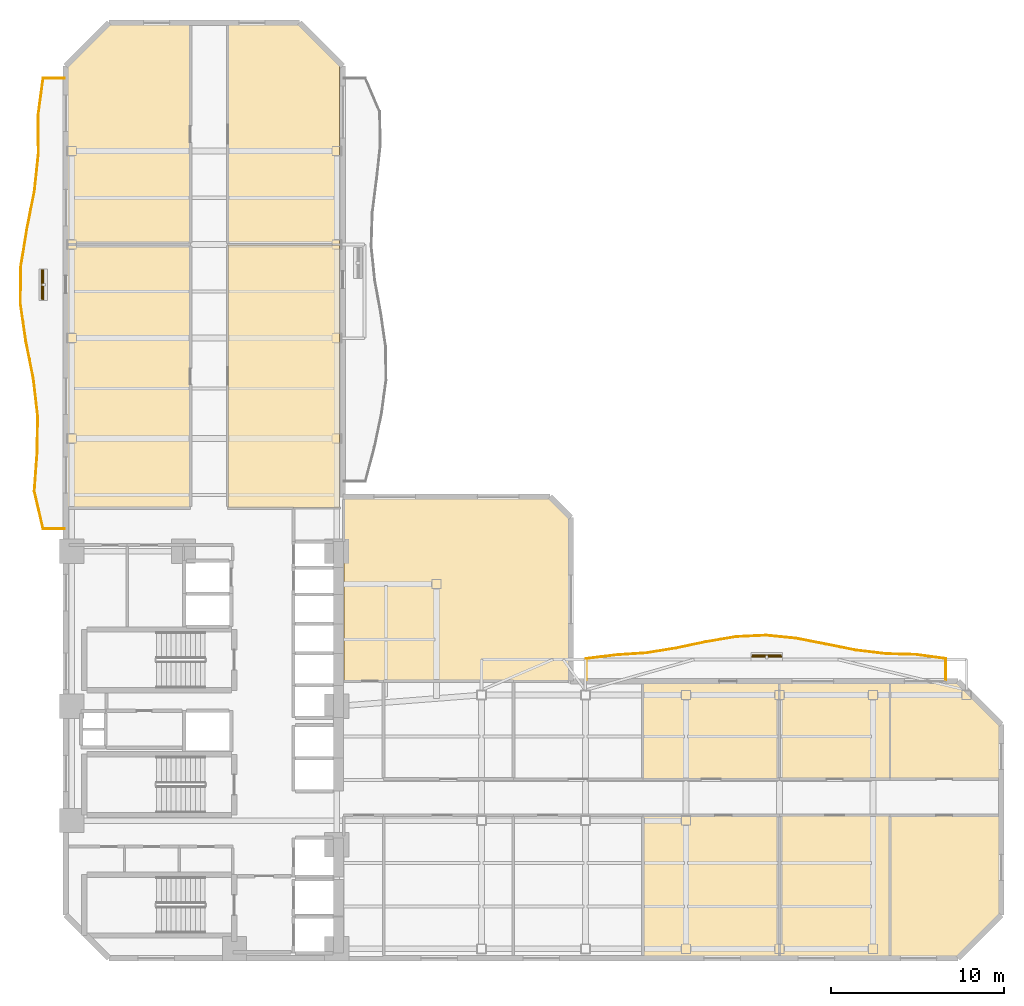
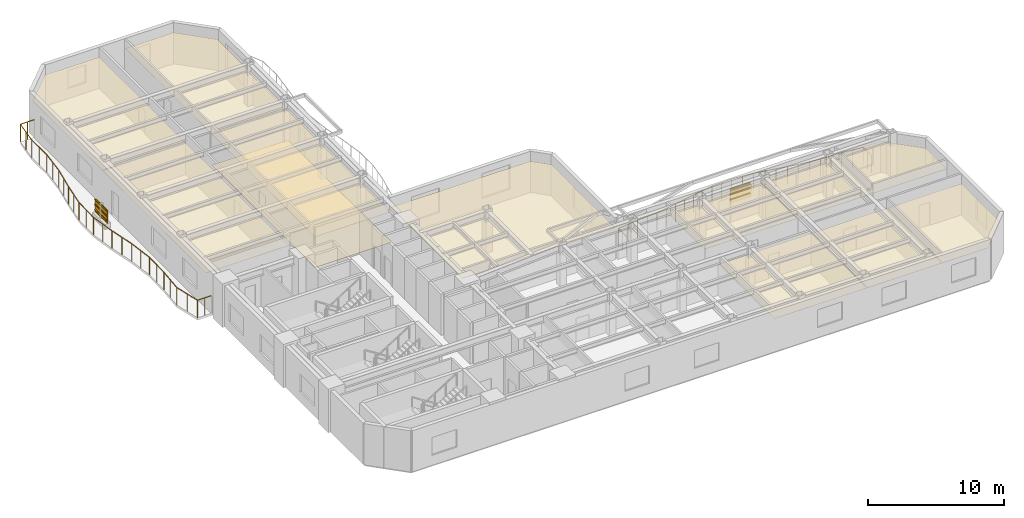
# One storey, part 9 of 10: 12 coverings, 8 shading devices, 2 railings.
"""IFC4 building model written with IfcOpenShell, lengths in metres."""

import ifcopenshell
import ifcopenshell.guid

model = None  # the IFC model being written
_history = None  # IfcOwnerHistory: only IFC2X3 demands one
_inside = {}  # id of a spatial element -> (the spatial element, [elements in it])
_under = {}  # id of a project, library or spatial element -> (it, [spatial elements below it])
_declared = {}  # id of a project -> (the project, [libraries it declares])
_typed = {}  # id of a type object -> (the type object, [elements of that type])
_made_of = {}  # id of a material, layer set ... -> (it, [elements and type objects made of it])


def new_model(schema):
    """Start an empty IFC model of exactly this schema.

    Asked for "IFC4X3", IfcOpenShell would pick the latest addendum, in which some entities
    have other attributes; the version numbers below select the first issue.
    IFC2X3 requires an IfcOwnerHistory on every rooted entity: one is made here for all.
    """
    global model, _history
    if schema == "IFC4X3":
        model = ifcopenshell.file(schema_version=(4, 3, 0, 0))
    else:
        model = ifcopenshell.file(schema=schema)
    _inside.clear()
    _under.clear()
    _declared.clear()
    _typed.clear()
    _made_of.clear()
    _history = None
    if model.schema == "IFC2X3":
        org = make("IfcOrganization", Name="unknown")
        user = make(
            "IfcPersonAndOrganization",
            ThePerson=make("IfcPerson", FamilyName="unknown"),
            TheOrganization=org,
        )
        app = make(
            "IfcApplication",
            ApplicationDeveloper=org,
            Version="unknown",
            ApplicationFullName="unknown",
            ApplicationIdentifier="unknown",
        )
        _history = make(
            "IfcOwnerHistory",
            OwningUser=user,
            OwningApplication=app,
            ChangeAction="ADDED",
            CreationDate=0,
        )
    return model


def make(cls, **values):
    """One entity of the class cls with the attributes given. An attribute that is None is left unset."""
    return model.create_entity(
        cls, **{name: value for name, value in values.items() if value is not None}
    )


def rooted(cls, **values):
    """An entity with a GlobalId (a new one), such as an element, a storey or a relation."""
    return make(cls, GlobalId=ifcopenshell.guid.new(), OwnerHistory=_history, **values)


def si_unit(unit_type, name, prefix=None):
    """IfcSIUnit, for example si_unit("LENGTHUNIT", "METRE", prefix="MILLI")."""
    return make("IfcSIUnit", UnitType=unit_type, Prefix=prefix, Name=name)


def assignment(units):
    """IfcUnitAssignment: the units of a project."""
    return None if units is None else make("IfcUnitAssignment", Units=units)


def point(xyz):
    """IfcCartesianPoint."""
    return None if xyz is None else make("IfcCartesianPoint", Coordinates=xyz)


def direction(xyz):
    """IfcDirection."""
    return None if xyz is None else make("IfcDirection", DirectionRatios=xyz)


def frame(location, z_axis=None, x_axis=None):
    """IfcAxis2Placement3D, a coordinate frame: its origin and axes. An axis left out is left unset."""
    return make(
        "IfcAxis2Placement3D",
        Location=point(location),
        Axis=direction(z_axis),
        RefDirection=direction(x_axis),
    )


def frame_2d(location, x_axis=None):
    """IfcAxis2Placement2D, a coordinate frame in the plane: its origin and x axis."""
    return make(
        "IfcAxis2Placement2D", Location=point(location), RefDirection=direction(x_axis)
    )


def origin():
    """The frame at (0, 0, 0) with its axes left unset."""
    return frame((0.0, 0.0, 0.0))


def origin_2d():
    """The frame at (0, 0) in the plane with its x axis left unset."""
    return frame_2d((0.0, 0.0))


def place(relative_to, where):
    """IfcLocalPlacement: puts the frame where relative to a parent placement (None: the world)."""
    return make(
        "IfcLocalPlacement", PlacementRelTo=relative_to, RelativePlacement=where
    )


def context(
    kind, dimensions, precision=None, world=None, true_north=None, identifier=None
):
    """IfcGeometricRepresentationContext, for example the 3D "Model" context."""
    return make(
        "IfcGeometricRepresentationContext",
        ContextIdentifier=identifier,
        ContextType=kind,
        CoordinateSpaceDimension=dimensions,
        Precision=precision,
        WorldCoordinateSystem=world,
        TrueNorth=true_north,
    )


def subcontext(parent, identifier, kind, view, scale=None):
    """IfcGeometricRepresentationSubContext, for example "Body" below "Model"."""
    return make(
        "IfcGeometricRepresentationSubContext",
        ContextIdentifier=identifier,
        ContextType=kind,
        ParentContext=parent,
        TargetScale=scale,
        TargetView=view,
    )


def project(units=None, contexts=None):
    """IfcProject with its units and contexts."""
    return rooted(
        "IfcProject",
        Name="project",
        RepresentationContexts=contexts,
        UnitsInContext=assignment(units),
    )


def spatial(cls, under=None, at=None, **own):
    """A site, building, storey or space (cls), placed at a placement, below another one or the project."""
    s = rooted(cls, ObjectPlacement=at, **own)
    if under is not None:
        _under.setdefault(under.id(), (under, []))[1].append(s)
    return s


def polyline(points):
    """IfcPolyline through the points."""
    return make("IfcPolyline", Points=[point(p) for p in points])


def profile(cls, at=None, kind="AREA", **sizes):
    """A parametric profile (cls). Its sizes go by their IFC names, for example OverallWidth=200.0."""
    return make(cls, ProfileType=kind, Position=at, **sizes)


def rectangle(**sizes):
    """IfcRectangleProfileDef."""
    return profile("IfcRectangleProfileDef", **sizes)


def outline(outer, holes=None, kind="AREA"):
    """IfcArbitraryClosedProfileDef: a profile drawn as a closed curve; with holes, ...WithVoids."""
    if holes is None:
        return make("IfcArbitraryClosedProfileDef", ProfileType=kind, OuterCurve=outer)
    return make(
        "IfcArbitraryProfileDefWithVoids",
        ProfileType=kind,
        OuterCurve=outer,
        InnerCurves=holes,
    )


def extrude(swept, where, along, depth):
    """IfcExtrudedAreaSolid: the profile swept, set in the frame where, extruded along a direction by depth."""
    return make(
        "IfcExtrudedAreaSolid",
        SweptArea=swept,
        Position=where,
        ExtrudedDirection=direction(along),
        Depth=depth,
    )


def shape(context_of_items, identifier, shape_type, items):
    """IfcShapeRepresentation: the items that make up one representation, for example the "Body"."""
    return make(
        "IfcShapeRepresentation",
        ContextOfItems=context_of_items,
        RepresentationIdentifier=identifier,
        RepresentationType=shape_type,
        Items=items,
    )


def material(Name=None, Category=None):
    """IfcMaterial."""
    return make("IfcMaterial", Name=Name, Category=Category)


def layer(
    of_material, thickness, ventilated=None, Name=None, Category=None, Priority=None
):
    """IfcMaterialLayer: one layer of a wall or slab, of a material (None: an air gap)."""
    return make(
        "IfcMaterialLayer",
        Material=of_material,
        LayerThickness=thickness,
        IsVentilated=ventilated,
        Name=Name,
        Category=Category,
        Priority=Priority,
    )


def layer_set(layers, Name=None):
    """IfcMaterialLayerSet."""
    return make("IfcMaterialLayerSet", MaterialLayers=layers, LayerSetName=Name)


def material_profile(
    of_material, cross_section, Name=None, Category=None, Priority=None
):
    """IfcMaterialProfile: a cross section and its material."""
    return make(
        "IfcMaterialProfile",
        Name=Name,
        Material=of_material,
        Profile=cross_section,
        Priority=Priority,
        Category=Category,
    )


def profile_set(profiles, Name=None, composite=None):
    """IfcMaterialProfileSet."""
    return make(
        "IfcMaterialProfileSet",
        Name=Name,
        MaterialProfiles=profiles,
        CompositeProfile=composite,
    )


def made_of(thing, what):
    """Note that an element or type object is made of a material, layer set ...; save() writes the relation."""
    if what is not None:
        _made_of.setdefault(what.id(), (what, []))[1].append(thing)
    return thing


def type_object(cls, material=None, **own):
    """A type object (cls), such as IfcWallType, which elements share."""
    return made_of(rooted(cls, **own), material)


def element(
    cls,
    number,
    at=None,
    inside=None,
    cuts=None,
    type_object=None,
    material=None,
    context=None,
    identifier="Body",
    shape_type=None,
    held_by="IfcProductDefinitionShape",
    body=None,
    shapes=None,
    **own,
):
    """One element of the class cls, such as IfcWall. Its Tag is "e" and its number.

    at: its placement. inside: the storey or other place that contains it. cuts: it is an
    opening in that element (IfcRelVoidsElement). A single representation is given by context,
    identifier, shape_type and body (its items); several are given by shapes. held_by: the class
    of the entity that holds the representations. save() writes the other relations.
    """
    e = rooted(cls, Tag="e%d" % number, ObjectPlacement=at, **own)
    if body is not None:
        shapes = [shape(context, identifier, shape_type, body)]
    if shapes is not None:
        e.Representation = make(held_by, Representations=shapes)
    if inside is not None:
        _inside.setdefault(inside.id(), (inside, []))[1].append(e)
    if cuts is not None:
        rooted(
            "IfcRelVoidsElement", RelatingBuildingElement=cuts, RelatedOpeningElement=e
        )
    if type_object is not None:
        _typed.setdefault(type_object.id(), (type_object, []))[1].append(e)
    return made_of(e, material)


def aggregate(whole, parts):
    """IfcRelAggregates: a whole, such as a stair, and the parts it consists of."""
    return rooted("IfcRelAggregates", RelatingObject=whole, RelatedObjects=parts)


def save(model, path):
    """Write the relations noted so far, then the file.

    IfcRelAggregates (storeys below a building ...), IfcRelContainedInSpatialStructure (elements
    in a storey), IfcRelDefinesByType, IfcRelAssociatesMaterial and IfcRelDeclares: one each for
    every whole, place, type object, material and project.
    """
    for whole, parts in _under.values():
        aggregate(whole, parts)
    for where, things in _inside.values():
        rooted(
            "IfcRelContainedInSpatialStructure",
            RelatedElements=things,
            RelatingStructure=where,
        )
    for kind, things in _typed.values():
        rooted("IfcRelDefinesByType", RelatedObjects=things, RelatingType=kind)
    for what, things in _made_of.values():
        rooted("IfcRelAssociatesMaterial", RelatedObjects=things, RelatingMaterial=what)
    for by, libraries in _declared.values():
        rooted("IfcRelDeclares", RelatingContext=by, RelatedDefinitions=libraries)
    model.write(path)


model = new_model("IFC4")

# Units and contexts
model_context = context("Model", 3, precision=1e-05, world=origin(), true_north=direction((0.0, 1.0)))
body_context = subcontext(model_context, "Body", "Model", "MODEL_VIEW")
ifc_project = project(units=[si_unit("LENGTHUNIT", "METRE"), si_unit("AREAUNIT", "SQUARE_METRE"), si_unit("VOLUMEUNIT", "CUBIC_METRE"), si_unit("PLANEANGLEUNIT", "RADIAN"), si_unit("MASSUNIT", "GRAM", prefix="KILO")], contexts=[model_context])

# Site, building, storey
site_placement = place(None, origin())
site = spatial("IfcSite", under=ifc_project, at=site_placement, CompositionType="ELEMENT")
building_placement = place(site_placement, origin())
building = spatial("IfcBuilding", under=site, at=building_placement, Name="Mawjaban Terraces University", CompositionType="ELEMENT")
storey_placement = place(building_placement, frame((0.0, 0.0, 66.10009765625)))
storey = spatial("IfcBuildingStorey", under=building, at=storey_placement, Name="L15", CompositionType="ELEMENT", Elevation=66.10009765625)

# Coverings
ifc_material_1 = material(Name="Acoustic mineral fibre ceiling tile", Category="masonry")
ifc_layer_1 = layer(ifc_material_1, 0.02001953125)
ifc_layer_set_1 = layer_set([ifc_layer_1], Name="Acoustic mineral fibre ceiling tile")
covering_type_1 = type_object("IfcCoveringType", Name="AcousticMineralCeiling_20", PredefinedType="CEILING", material=ifc_layer_set_1)
covering_1_placement = place(storey_placement, frame((0.0, 0.0, 2.75)))
element("IfcCovering", 1, at=covering_1_placement, inside=storey, type_object=covering_type_1, Name="L15 Design Studio 6 Acoustic Ceiling", PredefinedType="CEILING", context=body_context, shape_type="SweptSolid", body=[
    extrude(outline(polyline([(55.35302734375, 0.114990234375), (63.169921875, 0.114990234375), (63.169921875, 8.219970703125), (55.35302734375, 8.219970703125), (55.35302734375, 0.114990234375)])), origin(), (0.0, 0.0, 1.0), 0.02001953125),
])
covering_2_placement = place(storey_placement, frame((0.0, 0.0, 2.75)))
element("IfcCovering", 2, at=covering_2_placement, inside=storey, type_object=covering_type_1, Name="L15 Computational Laboratory 7 Acoustic Ceiling", PredefinedType="CEILING", context=body_context, shape_type="SweptSolid", body=[
    extrude(outline(polyline([(63.169921875, 15.885009765625), (55.35302734375, 15.885009765625), (55.35302734375, 10.3798828125), (63.169921875, 10.3798828125), (63.169921875, 15.885009765625)])), origin(), (0.0, 0.0, 1.0), 0.02001953125),
])
covering_3_placement = place(storey_placement, frame((0.0, 0.0, 2.75)))
element("IfcCovering", 3, at=covering_3_placement, inside=storey, type_object=covering_type_1, Name="L15 Teaching Laboratory 8 Acoustic Ceiling", PredefinedType="CEILING", context=body_context, shape_type="SweptSolid", body=[
    extrude(outline(polyline([(63.22998046875, 0.114990234375), (69.552978515625, 0.114990234375), (69.552978515625, 8.219970703125), (63.22998046875, 8.219970703125), (63.22998046875, 0.114990234375)])), origin(), (0.0, 0.0, 1.0), 0.02001953125),
])
covering_4_placement = place(storey_placement, frame((0.0, 0.0, 2.75)))
element("IfcCovering", 4, at=covering_4_placement, inside=storey, type_object=covering_type_1, Name="L15 Student Tea Pantry 9 Acoustic Ceiling", PredefinedType="CEILING", context=body_context, shape_type="SweptSolid", body=[
    extrude(outline(polyline([(69.552978515625, 15.885009765625), (63.22998046875, 15.885009765625), (63.22998046875, 10.3798828125), (69.552978515625, 10.3798828125), (69.552978515625, 15.885009765625)])), origin(), (0.0, 0.0, 1.0), 0.02001953125),
])
covering_5_placement = place(storey_placement, frame((0.0, 0.0, 2.75)))
element("IfcCovering", 5, at=covering_5_placement, inside=storey, type_object=covering_type_1, Name="L15 Student Tea Pantry 10 Acoustic Ceiling", PredefinedType="CEILING", context=body_context, shape_type="SweptSolid", body=[
    extrude(outline(polyline([(69.613037109375, 0.114990234375), (73.452880859375, 0.114990234375), (75.885009765625, 2.547119140625), (75.885009765625, 8.219970703125), (69.613037109375, 8.219970703125), (69.613037109375, 0.114990234375)])), origin(), (0.0, 0.0, 1.0), 0.02001953125),
])
covering_6_placement = place(storey_placement, frame((0.0, 0.0, 2.75)))
element("IfcCovering", 6, at=covering_6_placement, inside=storey, type_object=covering_type_1, Name="L15 Faculty Office 11 Acoustic Ceiling", PredefinedType="CEILING", context=body_context, shape_type="SweptSolid", body=[
    extrude(outline(polyline([(75.885009765625, 10.3798828125), (75.885009765625, 13.452880859375), (73.452880859375, 15.885009765625), (69.613037109375, 15.885009765625), (69.613037109375, 10.3798828125), (75.885009765625, 10.3798828125)])), origin(), (0.0, 0.0, 1.0), 0.02001953125),
])
covering_7_placement = place(storey_placement, frame((0.0, 0.0, 2.75)))
element("IfcCovering", 7, at=covering_7_placement, inside=storey, type_object=covering_type_1, Name="L15 Departmental Office 12 Acoustic Ceiling", PredefinedType="CEILING", context=body_context, shape_type="SweptSolid", body=[
    extrude(outline(polyline([(22.114990234375, 41.169921875), (22.114990234375, 26.030029296875), (29.169921875, 26.030029296875), (29.169921875, 41.169921875), (22.114990234375, 41.169921875)])), origin(), (0.0, 0.0, 1.0), 0.02001953125),
])
covering_8_placement = place(storey_placement, frame((0.0, 0.0, 2.75)))
element("IfcCovering", 8, at=covering_8_placement, inside=storey, type_object=covering_type_1, Name="L15 Classroom 13 Acoustic Ceiling", PredefinedType="CEILING", context=body_context, shape_type="SweptSolid", body=[
    extrude(outline(polyline([(37.820068359375, 26.030029296875), (37.820068359375, 41.169921875), (31.3798828125, 41.169921875), (31.3798828125, 26.030029296875), (37.820068359375, 26.030029296875)])), origin(), (0.0, 0.0, 1.0), 0.02001953125),
])
covering_9_placement = place(storey_placement, frame((0.0, 0.0, 2.75)))
element("IfcCovering", 9, at=covering_9_placement, inside=storey, type_object=covering_type_1, Name="L15 Design Studio 14 Acoustic Ceiling", PredefinedType="CEILING", context=body_context, shape_type="SweptSolid", body=[
    extrude(outline(polyline([(29.169921875, 53.885009765625), (24.547119140625, 53.885009765625), (22.114990234375, 51.452880859375), (22.114990234375, 41.22998046875), (29.169921875, 41.22998046875), (29.169921875, 53.885009765625)])), origin(), (0.0, 0.0, 1.0), 0.02001953125),
])
covering_10_placement = place(storey_placement, frame((0.0, 0.0, 2.75)))
element("IfcCovering", 10, at=covering_10_placement, inside=storey, type_object=covering_type_1, Name="L15 Computational Laboratory 15 Acoustic Ceiling", PredefinedType="CEILING", context=body_context, shape_type="SweptSolid", body=[
    extrude(outline(polyline([(37.820068359375, 51.51806640625), (35.452880859375, 53.885009765625), (31.3798828125, 53.885009765625), (31.3798828125, 41.22998046875), (37.820068359375, 41.22998046875), (37.820068359375, 51.51806640625)])), origin(), (0.0, 0.0, 1.0), 0.02001953125),
])
covering_11_placement = place(storey_placement, frame((0.0, 0.0, 2.75)))
element("IfcCovering", 11, at=covering_11_placement, inside=storey, type_object=covering_type_1, Name="L15 Terrace Collaborative Study Room Acoustic Ceiling", PredefinedType="CEILING", context=body_context, shape_type="SweptSolid", body=[
    extrude(outline(polyline([(51.034912109375, 16.030029296875), (51.034912109375, 25.39501953125), (49.903076171875, 26.527099609375), (38.080078125, 26.527099609375), (38.080078125, 16.030029296875), (51.034912109375, 16.030029296875)])), origin(), (0.0, 0.0, 1.0), 0.02001953125),
])

# Railings
ifc_material_2 = material(Name="Galvanised powder-coated steel S355", Category="steel")
railing_type = type_object("IfcRailingType", Name="BalconyBalustrade_1600", PredefinedType="BALUSTRADE", material=ifc_material_2)
railing_1_placement = place(storey_placement, frame((21.919921875, 24.800048828125, 0.0)))
element("IfcRailing", 12, at=railing_1_placement, inside=storey, type_object=railing_type, Name="L15 Balcony Guardrail west", PredefinedType="BALUSTRADE", context=body_context, shape_type="SweptSolid", body=[
    extrude(rectangle(XDim=0.048095703125, YDim=0.048095703125, at=origin_2d()), frame((0.0, 0.0, 1.576171875), z_axis=(-1.0, 0.0, 0.0), x_axis=(0.0, -1.0, 0.0)), (0.0, 0.0, 1.0), 1.219970703125),
    extrude(rectangle(XDim=0.048095703125, YDim=0.048095703125, at=origin_2d()), frame((-1.219970703125, 0.0, 1.576171875), z_axis=(-0.226910488636, 0.97391561757, 0.0), x_axis=(-0.97391561757, -0.226910488636, 0.0)), (0.0, 0.0, 1.0), 2.22509765625),
    extrude(rectangle(XDim=0.048095703125, YDim=0.048095703125, at=origin_2d()), frame((-1.724853515625, 2.1669921875, 1.576171875), z_axis=(0.072732911519, 0.997351454394, 0.0), x_axis=(-0.997351454394, 0.072732911519, 0.0)), (0.0, 0.0, 1.0), 2.171875),
    extrude(rectangle(XDim=0.048095703125, YDim=0.048095703125, at=origin_2d()), frame((-1.56689453125, 4.3330078125, 1.576171875), z_axis=(0.018023209892, 0.999837568761, 0.0), x_axis=(-0.999837568761, 0.018023209892, 0.0)), (0.0, 0.0, 1.0), 2.167236328125),
    extrude(rectangle(XDim=0.048095703125, YDim=0.048095703125, at=origin_2d()), frame((-1.52783203125, 6.5, 1.576171875), z_axis=(-0.116484164436, 0.993192549023, 0.0), x_axis=(-0.993192549023, -0.116484164436, 0.0)), (0.0, 0.0, 1.0), 2.181884765625),
    extrude(rectangle(XDim=0.048095703125, YDim=0.048095703125, at=origin_2d()), frame((-1.781982421875, 8.6669921875, 1.576171875), z_axis=(-0.195542152971, 0.980695297435, 0.0), x_axis=(-0.980695297435, -0.195542152971, 0.0)), (0.0, 0.0, 1.0), 2.208740234375),
    extrude(rectangle(XDim=0.048095703125, YDim=0.048095703125, at=origin_2d()), frame((-2.2138671875, 10.8330078125, 1.576171875), z_axis=(-0.144807165863, 0.989459895456, 0.0), x_axis=(-0.989459895456, -0.144807165863, 0.0)), (0.0, 0.0, 1.0), 2.190185546875),
    extrude(rectangle(XDim=0.048095703125, YDim=0.048095703125, at=origin_2d()), frame((-2.531005859375, 13.0, 1.576171875), z_axis=(0.013405735303, 0.999910139093, 0.0), x_axis=(-0.999910139093, 0.013405735303, 0.0)), (0.0, 0.0, 1.0), 2.167236328125),
    extrude(rectangle(XDim=0.048095703125, YDim=0.048095703125, at=origin_2d()), frame((-2.501953125, 15.1669921875, 1.576171875), z_axis=(0.161728858018, 0.986835232693, 0.0), x_axis=(-0.986835232693, 0.161728858018, 0.0)), (0.0, 0.0, 1.0), 2.19482421875),
    extrude(rectangle(XDim=0.048095703125, YDim=0.048095703125, at=origin_2d()), frame((-2.14697265625, 17.3330078125, 1.576171875), z_axis=(0.194181673252, 0.980965584398, 0.0), x_axis=(-0.980965584398, 0.194181673252, 0.0)), (0.0, 0.0, 1.0), 2.208984375),
    extrude(rectangle(XDim=0.048095703125, YDim=0.048095703125, at=origin_2d()), frame((-1.718017578125, 19.5, 1.576171875), z_axis=(0.105536205986, 0.994415461076, 0.0), x_axis=(-0.994415461076, 0.105536205986, 0.0)), (0.0, 0.0, 1.0), 2.17919921875),
    extrude(rectangle(XDim=0.048095703125, YDim=0.048095703125, at=origin_2d()), frame((-1.488037109375, 21.6669921875, 1.576171875), z_axis=(-0.009692962117, 0.999953022139, 0.0), x_axis=(-0.999953022139, -0.009692962117, 0.0)), (0.0, 0.0, 1.0), 2.166015625),
    extrude(rectangle(XDim=0.048095703125, YDim=0.048095703125, at=origin_2d()), frame((-1.509033203125, 23.8330078125, 1.576171875), z_axis=(0.132222239086, 0.991220096392, 0.0), x_axis=(-0.991220096392, 0.132222239086, 0.0)), (0.0, 0.0, 1.0), 2.186279296875),
    extrude(rectangle(XDim=0.048095703125, YDim=0.048095703125, at=origin_2d()), frame((-1.219970703125, 26.0, 1.576171875), z_axis=(1.0, 0.0, 0.0), x_axis=(0.0, 1.0, 0.0)), (0.0, 0.0, 1.0), 1.219970703125),
    extrude(rectangle(XDim=0.0419921875, YDim=0.0419921875, at=origin_2d()), origin(), (0.0, 0.0, 1.0), 1.552001953125),
    extrude(rectangle(XDim=0.0419921875, YDim=0.0419921875, at=origin_2d()), frame((-0.60986328125, 0.0, 0.0)), (0.0, 0.0, 1.0), 1.552001953125),
    extrude(rectangle(XDim=0.0419921875, YDim=0.0419921875, at=origin_2d()), frame((-1.219970703125, 0.0, 0.0)), (0.0, 0.0, 1.0), 1.552001953125),
    extrude(rectangle(XDim=0.0419921875, YDim=0.0419921875, at=origin_2d()), frame((-1.472412109375, 1.08349609375, 0.0)), (0.0, 0.0, 1.0), 1.552001953125),
    extrude(rectangle(XDim=0.0419921875, YDim=0.0419921875, at=origin_2d()), frame((-1.724853515625, 2.1669921875, 0.0)), (0.0, 0.0, 1.0), 1.552001953125),
    extrude(rectangle(XDim=0.0419921875, YDim=0.0419921875, at=origin_2d()), frame((-1.64599609375, 3.25, 0.0)), (0.0, 0.0, 1.0), 1.552001953125),
    extrude(rectangle(XDim=0.0419921875, YDim=0.0419921875, at=origin_2d()), frame((-1.56689453125, 4.3330078125, 0.0)), (0.0, 0.0, 1.0), 1.552001953125),
    extrude(rectangle(XDim=0.0419921875, YDim=0.0419921875, at=origin_2d()), frame((-1.54736328125, 5.41650390625, 0.0)), (0.0, 0.0, 1.0), 1.552001953125),
    extrude(rectangle(XDim=0.0419921875, YDim=0.0419921875, at=origin_2d()), frame((-1.52783203125, 6.5, 0.0)), (0.0, 0.0, 1.0), 1.552001953125),
    extrude(rectangle(XDim=0.0419921875, YDim=0.0419921875, at=origin_2d()), frame((-1.65478515625, 7.58349609375, 0.0)), (0.0, 0.0, 1.0), 1.552001953125),
    extrude(rectangle(XDim=0.0419921875, YDim=0.0419921875, at=origin_2d()), frame((-1.781982421875, 8.6669921875, 0.0)), (0.0, 0.0, 1.0), 1.552001953125),
    extrude(rectangle(XDim=0.0419921875, YDim=0.0419921875, at=origin_2d()), frame((-1.998046875, 9.75, 0.0)), (0.0, 0.0, 1.0), 1.552001953125),
    extrude(rectangle(XDim=0.0419921875, YDim=0.0419921875, at=origin_2d()), frame((-2.2138671875, 10.8330078125, 0.0)), (0.0, 0.0, 1.0), 1.552001953125),
    extrude(rectangle(XDim=0.0419921875, YDim=0.0419921875, at=origin_2d()), frame((-2.37255859375, 11.91650390625, 0.0)), (0.0, 0.0, 1.0), 1.552001953125),
    extrude(rectangle(XDim=0.0419921875, YDim=0.0419921875, at=origin_2d()), frame((-2.531005859375, 13.0, 0.0)), (0.0, 0.0, 1.0), 1.552001953125),
    extrude(rectangle(XDim=0.0419921875, YDim=0.0419921875, at=origin_2d()), frame((-2.5166015625, 14.08349609375, 0.0)), (0.0, 0.0, 1.0), 1.552001953125),
    extrude(rectangle(XDim=0.0419921875, YDim=0.0419921875, at=origin_2d()), frame((-2.501953125, 15.1669921875, 0.0)), (0.0, 0.0, 1.0), 1.552001953125),
    extrude(rectangle(XDim=0.0419921875, YDim=0.0419921875, at=origin_2d()), frame((-2.324462890625, 16.25, 0.0)), (0.0, 0.0, 1.0), 1.552001953125),
    extrude(rectangle(XDim=0.0419921875, YDim=0.0419921875, at=origin_2d()), frame((-2.14697265625, 17.3330078125, 0.0)), (0.0, 0.0, 1.0), 1.552001953125),
    extrude(rectangle(XDim=0.0419921875, YDim=0.0419921875, at=origin_2d()), frame((-1.9326171875, 18.41650390625, 0.0)), (0.0, 0.0, 1.0), 1.552001953125),
    extrude(rectangle(XDim=0.0419921875, YDim=0.0419921875, at=origin_2d()), frame((-1.718017578125, 19.5, 0.0)), (0.0, 0.0, 1.0), 1.552001953125),
    extrude(rectangle(XDim=0.0419921875, YDim=0.0419921875, at=origin_2d()), frame((-1.60302734375, 20.58349609375, 0.0)), (0.0, 0.0, 1.0), 1.552001953125),
    extrude(rectangle(XDim=0.0419921875, YDim=0.0419921875, at=origin_2d()), frame((-1.488037109375, 21.6669921875, 0.0)), (0.0, 0.0, 1.0), 1.552001953125),
    extrude(rectangle(XDim=0.0419921875, YDim=0.0419921875, at=origin_2d()), frame((-1.49853515625, 22.75, 0.0)), (0.0, 0.0, 1.0), 1.552001953125),
    extrude(rectangle(XDim=0.0419921875, YDim=0.0419921875, at=origin_2d()), frame((-1.509033203125, 23.8330078125, 0.0)), (0.0, 0.0, 1.0), 1.552001953125),
    extrude(rectangle(XDim=0.0419921875, YDim=0.0419921875, at=origin_2d()), frame((-1.364501953125, 24.91650390625, 0.0)), (0.0, 0.0, 1.0), 1.552001953125),
    extrude(rectangle(XDim=0.0419921875, YDim=0.0419921875, at=origin_2d()), frame((-1.219970703125, 26.0, 0.0)), (0.0, 0.0, 1.0), 1.552001953125),
    extrude(rectangle(XDim=0.0419921875, YDim=0.0419921875, at=origin_2d()), frame((-0.60986328125, 26.0, 0.0)), (0.0, 0.0, 1.0), 1.552001953125),
    extrude(rectangle(XDim=0.0419921875, YDim=0.0419921875, at=origin_2d()), frame((0.0, 26.0, 0.0)), (0.0, 0.0, 1.0), 1.552001953125),
])
railing_2_placement = place(storey_placement, frame((52.050048828125, 16.080078125, 0.0)))
element("IfcRailing", 13, at=railing_2_placement, inside=storey, type_object=railing_type, Name="L15 Balcony Guardrail inner_north", PredefinedType="BALUSTRADE", context=body_context, shape_type="SweptSolid", body=[
    extrude(rectangle(XDim=0.048095703125, YDim=0.048095703125, at=origin_2d()), frame((0.0, 0.0, 1.576171875), z_axis=(0.0, 1.0, 0.0), x_axis=(-1.0, 0.0, 0.0)), (0.0, 0.0, 1.0), 1.219970703125),
    extrude(rectangle(XDim=0.048095703125, YDim=0.048095703125, at=origin_2d()), frame((0.0, 1.219970703125, 1.576171875), z_axis=(0.992572579658, 0.121653911203, 0.0), x_axis=(-0.121653911203, 0.992572579658, 0.0)), (0.0, 0.0, 1.0), 1.741943359375),
    extrude(rectangle(XDim=0.048095703125, YDim=0.048095703125, at=origin_2d()), frame((1.72900390625, 1.431884765625, 1.576171875), z_axis=(0.997758270999, 0.066921092732, 0.0), x_axis=(-0.066921092732, 0.997758270999, 0.0)), (0.0, 0.0, 1.0), 1.73291015625),
    extrude(rectangle(XDim=0.048095703125, YDim=0.048095703125, at=origin_2d()), frame((3.4580078125, 1.5478515625, 1.576171875), z_axis=(0.987224857044, 0.159333240836, 0.0), x_axis=(-0.159333240836, 0.987224857044, 0.0)), (0.0, 0.0, 1.0), 1.75146484375),
    extrude(rectangle(XDim=0.048095703125, YDim=0.048095703125, at=origin_2d()), frame((5.18701171875, 1.826904296875, 1.576171875), z_axis=(0.978460323158, 0.206434967982, 0.0), x_axis=(-0.206434967982, 0.978460323158, 0.0)), (0.0, 0.0, 1.0), 1.76806640625),
    extrude(rectangle(XDim=0.048095703125, YDim=0.048095703125, at=origin_2d()), frame((6.9169921875, 2.19189453125, 1.576171875), z_axis=(0.985946331972, 0.167062355036, 0.0), x_axis=(-0.167062355036, 0.985946331972, 0.0)), (0.0, 0.0, 1.0), 1.753662109375),
    extrude(rectangle(XDim=0.048095703125, YDim=0.048095703125, at=origin_2d()), frame((8.64599609375, 2.48486328125, 1.576171875), z_axis=(0.998929201269, 0.04626500678, 0.0), x_axis=(-0.04626500678, 0.998929201269, 0.0)), (0.0, 0.0, 1.0), 1.73095703125),
    extrude(rectangle(XDim=0.048095703125, YDim=0.048095703125, at=origin_2d()), frame((10.375, 2.56494140625, 1.576171875), z_axis=(0.995026055217, -0.099615006093, 0.0), x_axis=(0.099615006093, 0.995026055217, 0.0)), (0.0, 0.0, 1.0), 1.737548828125),
    extrude(rectangle(XDim=0.048095703125, YDim=0.048095703125, at=origin_2d()), frame((12.10400390625, 2.391845703125, 1.576171875), z_axis=(0.981434641077, -0.19179688552, 0.0), x_axis=(0.19179688552, 0.981434641077, 0.0)), (0.0, 0.0, 1.0), 1.76171875),
    extrude(rectangle(XDim=0.048095703125, YDim=0.048095703125, at=origin_2d()), frame((13.8330078125, 2.053955078125, 1.576171875), z_axis=(0.980671111722, -0.195663411588, 0.0), x_axis=(0.195663411588, 0.980671111722, 0.0)), (0.0, 0.0, 1.0), 1.76318359375),
    extrude(rectangle(XDim=0.048095703125, YDim=0.048095703125, at=origin_2d()), frame((15.56201171875, 1.708984375, 1.576171875), z_axis=(0.992782388763, -0.119929681736, 0.0), x_axis=(0.119929681736, 0.992782388763, 0.0)), (0.0, 0.0, 1.0), 1.74267578125),
    extrude(rectangle(XDim=0.048095703125, YDim=0.048095703125, at=origin_2d()), frame((17.2919921875, 1.5, 1.576171875), z_axis=(0.99965898034, -0.026113655939, 0.0), x_axis=(0.026113655939, 0.99965898034, 0.0)), (0.0, 0.0, 1.0), 1.7294921875),
    extrude(rectangle(XDim=0.048095703125, YDim=0.048095703125, at=origin_2d()), frame((19.02099609375, 1.454833984375, 1.576171875), z_axis=(0.990899852899, -0.134601194364, 0.0), x_axis=(0.134601194364, 0.990899852899, 0.0)), (0.0, 0.0, 1.0), 1.744873046875),
    extrude(rectangle(XDim=0.048095703125, YDim=0.048095703125, at=origin_2d()), frame((20.75, 1.219970703125, 1.576171875), z_axis=(0.0, -1.0, 0.0), x_axis=(1.0, 0.0, 0.0)), (0.0, 0.0, 1.0), 1.219970703125),
    extrude(rectangle(XDim=0.0419921875, YDim=0.0419921875, at=origin_2d()), origin(), (0.0, 0.0, 1.0), 1.552001953125),
    extrude(rectangle(XDim=0.0419921875, YDim=0.0419921875, at=origin_2d()), frame((0.0, 0.60986328125, 0.0)), (0.0, 0.0, 1.0), 1.552001953125),
    extrude(rectangle(XDim=0.0419921875, YDim=0.0419921875, at=origin_2d()), frame((0.0, 1.219970703125, 0.0)), (0.0, 0.0, 1.0), 1.552001953125),
    extrude(rectangle(XDim=0.0419921875, YDim=0.0419921875, at=origin_2d()), frame((0.864501953125, 1.325927734375, 0.0)), (0.0, 0.0, 1.0), 1.552001953125),
    extrude(rectangle(XDim=0.0419921875, YDim=0.0419921875, at=origin_2d()), frame((1.72900390625, 1.431884765625, 0.0)), (0.0, 0.0, 1.0), 1.552001953125),
    extrude(rectangle(XDim=0.0419921875, YDim=0.0419921875, at=origin_2d()), frame((2.593505859375, 1.48974609375, 0.0)), (0.0, 0.0, 1.0), 1.552001953125),
    extrude(rectangle(XDim=0.0419921875, YDim=0.0419921875, at=origin_2d()), frame((3.4580078125, 1.5478515625, 0.0)), (0.0, 0.0, 1.0), 1.552001953125),
    extrude(rectangle(XDim=0.0419921875, YDim=0.0419921875, at=origin_2d()), frame((4.322509765625, 1.6875, 0.0)), (0.0, 0.0, 1.0), 1.552001953125),
    extrude(rectangle(XDim=0.0419921875, YDim=0.0419921875, at=origin_2d()), frame((5.18701171875, 1.826904296875, 0.0)), (0.0, 0.0, 1.0), 1.552001953125),
    extrude(rectangle(XDim=0.0419921875, YDim=0.0419921875, at=origin_2d()), frame((6.052001953125, 2.00927734375, 0.0)), (0.0, 0.0, 1.0), 1.552001953125),
    extrude(rectangle(XDim=0.0419921875, YDim=0.0419921875, at=origin_2d()), frame((6.9169921875, 2.19189453125, 0.0)), (0.0, 0.0, 1.0), 1.552001953125),
    extrude(rectangle(XDim=0.0419921875, YDim=0.0419921875, at=origin_2d()), frame((7.781494140625, 2.33837890625, 0.0)), (0.0, 0.0, 1.0), 1.552001953125),
    extrude(rectangle(XDim=0.0419921875, YDim=0.0419921875, at=origin_2d()), frame((8.64599609375, 2.48486328125, 0.0)), (0.0, 0.0, 1.0), 1.552001953125),
    extrude(rectangle(XDim=0.0419921875, YDim=0.0419921875, at=origin_2d()), frame((9.510498046875, 2.52490234375, 0.0)), (0.0, 0.0, 1.0), 1.552001953125),
    extrude(rectangle(XDim=0.0419921875, YDim=0.0419921875, at=origin_2d()), frame((10.375, 2.56494140625, 0.0)), (0.0, 0.0, 1.0), 1.552001953125),
    extrude(rectangle(XDim=0.0419921875, YDim=0.0419921875, at=origin_2d()), frame((11.239501953125, 2.478515625, 0.0)), (0.0, 0.0, 1.0), 1.552001953125),
    extrude(rectangle(XDim=0.0419921875, YDim=0.0419921875, at=origin_2d()), frame((12.10400390625, 2.391845703125, 0.0)), (0.0, 0.0, 1.0), 1.552001953125),
    extrude(rectangle(XDim=0.0419921875, YDim=0.0419921875, at=origin_2d()), frame((12.968505859375, 2.222900390625, 0.0)), (0.0, 0.0, 1.0), 1.552001953125),
    extrude(rectangle(XDim=0.0419921875, YDim=0.0419921875, at=origin_2d()), frame((13.8330078125, 2.053955078125, 0.0)), (0.0, 0.0, 1.0), 1.552001953125),
    extrude(rectangle(XDim=0.0419921875, YDim=0.0419921875, at=origin_2d()), frame((14.697509765625, 1.88134765625, 0.0)), (0.0, 0.0, 1.0), 1.552001953125),
    extrude(rectangle(XDim=0.0419921875, YDim=0.0419921875, at=origin_2d()), frame((15.56201171875, 1.708984375, 0.0)), (0.0, 0.0, 1.0), 1.552001953125),
    extrude(rectangle(XDim=0.0419921875, YDim=0.0419921875, at=origin_2d()), frame((16.427001953125, 1.6044921875, 0.0)), (0.0, 0.0, 1.0), 1.552001953125),
    extrude(rectangle(XDim=0.0419921875, YDim=0.0419921875, at=origin_2d()), frame((17.2919921875, 1.5, 0.0)), (0.0, 0.0, 1.0), 1.552001953125),
    extrude(rectangle(XDim=0.0419921875, YDim=0.0419921875, at=origin_2d()), frame((18.156494140625, 1.4775390625, 0.0)), (0.0, 0.0, 1.0), 1.552001953125),
    extrude(rectangle(XDim=0.0419921875, YDim=0.0419921875, at=origin_2d()), frame((19.02099609375, 1.454833984375, 0.0)), (0.0, 0.0, 1.0), 1.552001953125),
    extrude(rectangle(XDim=0.0419921875, YDim=0.0419921875, at=origin_2d()), frame((19.885498046875, 1.33740234375, 0.0)), (0.0, 0.0, 1.0), 1.552001953125),
    extrude(rectangle(XDim=0.0419921875, YDim=0.0419921875, at=origin_2d()), frame((20.75, 1.219970703125, 0.0)), (0.0, 0.0, 1.0), 1.552001953125),
    extrude(rectangle(XDim=0.0419921875, YDim=0.0419921875, at=origin_2d()), frame((20.75, 0.60986328125, 0.0)), (0.0, 0.0, 1.0), 1.552001953125),
    extrude(rectangle(XDim=0.0419921875, YDim=0.0419921875, at=origin_2d()), frame((20.75, 0.0, 0.0)), (0.0, 0.0, 1.0), 1.552001953125),
])

# Shading devices
ifc_material_3 = material(Name="Glazed architectural terracotta ceramic", Category="masonry")
ifc_material_profile = material_profile(ifc_material_3, rectangle(XDim=0.06494140625, YDim=0.110107421875, at=origin_2d()), Name="TBAG110X65")
ifc_profile_set = profile_set([ifc_material_profile], Name="Glazed architectural terracotta ceramic")
shading_device_type_1 = type_object("IfcShadingDeviceType", Name="TerracottaBaguette_110x65", PredefinedType="USERDEFINED", material=ifc_profile_set)
for number, where, z_axis, x_axis, name in (
    (14, (20.6220703125, 38.032958984375, 0.679931640625), (0.0, 1.0, 0.0), (-1.0, 0.0, 0.0), "L15 Horizontal Terracotta Baguette west.1"),
    (15, (20.6220703125, 38.032958984375, 1.14990234375), (0.0, 1.0, 0.0), (-1.0, 0.0, 0.0), "L15 Horizontal Terracotta Baguette west.2"),
    (16, (20.6220703125, 38.032958984375, 1.619873046875), (0.0, 1.0, 0.0), (-1.0, 0.0, 0.0), "L15 Horizontal Terracotta Baguette west.3"),
    (17, (61.616943359375, 17.490966796875, 0.679931640625), (1.0, 0.0, 0.0), (0.0, 1.0, 0.0), "L15 Horizontal Terracotta Baguette inner_north.1"),
    (18, (61.616943359375, 17.490966796875, 1.14990234375), (1.0, 0.0, 0.0), (0.0, 1.0, 0.0), "L15 Horizontal Terracotta Baguette inner_north.2"),
    (19, (61.616943359375, 17.490966796875, 1.619873046875), (1.0, 0.0, 0.0), (0.0, 1.0, 0.0), "L15 Horizontal Terracotta Baguette inner_north.3"),
):
    element("IfcShadingDevice", number, at=place(storey_placement, frame(where, z_axis=z_axis, x_axis=x_axis)), inside=storey, type_object=shading_device_type_1, Name=name, ObjectType="BAGUETTE", PredefinedType="USERDEFINED", context=body_context, shape_type="SweptSolid", body=[
        extrude(rectangle(XDim=0.06494140625, YDim=0.110107421875, at=origin_2d()), origin(), (0.0, 0.0, 1.0), 1.699951171875),
    ])
ifc_layer_2 = layer(ifc_material_3, 0.080078125)
ifc_layer_set_2 = layer_set([ifc_layer_2], Name="Glazed architectural terracotta ceramic")
shading_device_type_2 = type_object("IfcShadingDeviceType", Name="TerracottaScreen_Perforated", PredefinedType="USERDEFINED", material=ifc_layer_set_2)
for number, where, z_axis, x_axis, name in (
    (20, (20.70703125, 38.883056640625, 0.43994140625), (0.0, 0.0, 1.0), (0.0, 1.0, 0.0), "L15 Balcony Perforated Terracotta Screen west"),
    (21, (62.467041015625, 17.406005859375, 0.43994140625), (0.0, 0.0, 1.0), (1.0, 0.0, 0.0), "L15 Balcony Perforated Terracotta Screen inner_north"),
):
    element("IfcShadingDevice", number, at=place(storey_placement, frame(where, z_axis=z_axis, x_axis=x_axis)), inside=storey, type_object=shading_device_type_2, Name=name, ObjectType="SCREEN", PredefinedType="USERDEFINED", context=body_context, shape_type="SweptSolid", body=[
        extrude(rectangle(XDim=1.75, YDim=0.080078125, at=origin_2d()), origin(), (0.0, 0.0, 1.0), 1.14990234375),
    ])

# Covering
ifc_material_4 = material(Name="Polished Hijazi granite terrazzo flooring", Category="masonry")
ifc_layer_3 = layer(ifc_material_4, 0.02490234375)
ifc_layer_set_3 = layer_set([ifc_layer_3], Name="Polished Hijazi granite terrazzo flooring")
covering_type_2 = type_object("IfcCoveringType", Name="TerrazzoConcourseFlooring_25", PredefinedType="FLOORING", material=ifc_layer_set_3)
covering_12_placement = place(storey_placement, origin())
element("IfcCovering", 22, at=covering_12_placement, inside=storey, type_object=covering_type_2, Name="L15 Classroom 13 Terrazzo Flooring", PredefinedType="FLOORING", context=body_context, shape_type="SweptSolid", body=[
    extrude(outline(polyline([(37.820068359375, 26.030029296875), (37.820068359375, 41.169921875), (31.3798828125, 41.169921875), (31.3798828125, 26.030029296875), (37.820068359375, 26.030029296875)])), origin(), (0.0, 0.0, 1.0), 0.02490234375),
])

save(model, "model.ifc")
